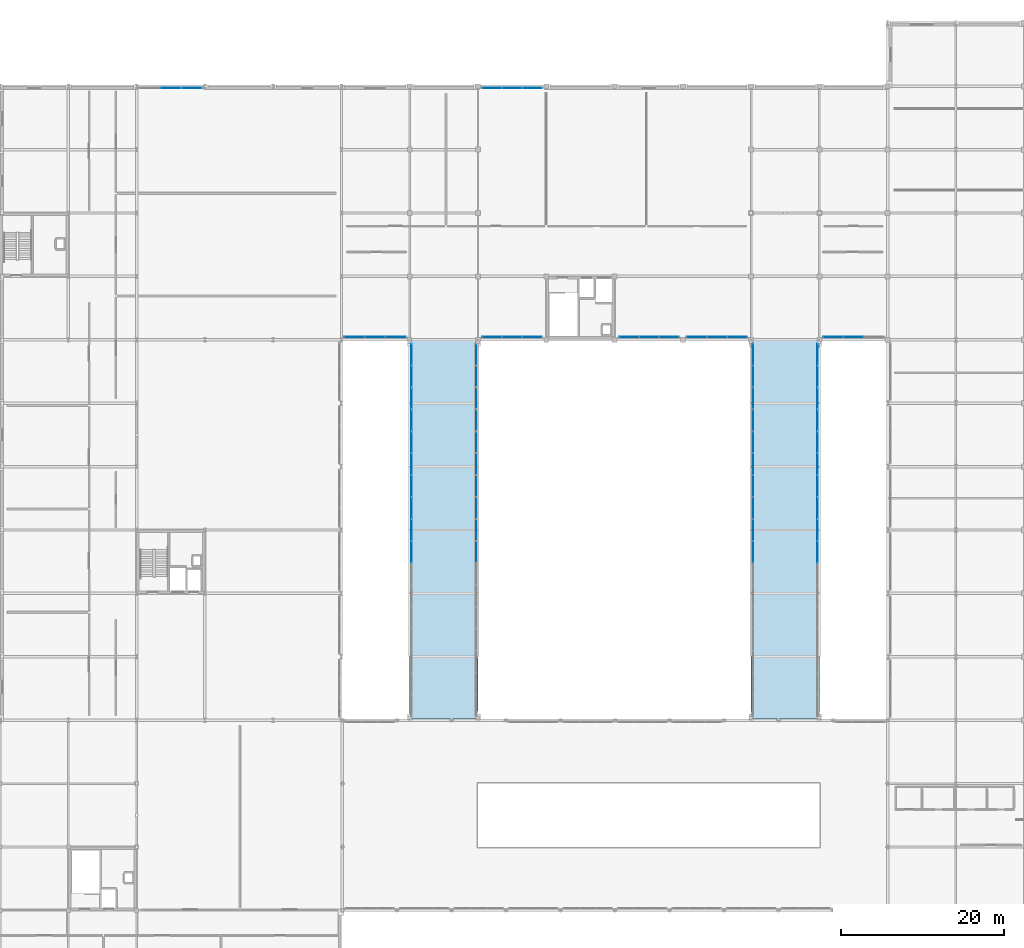
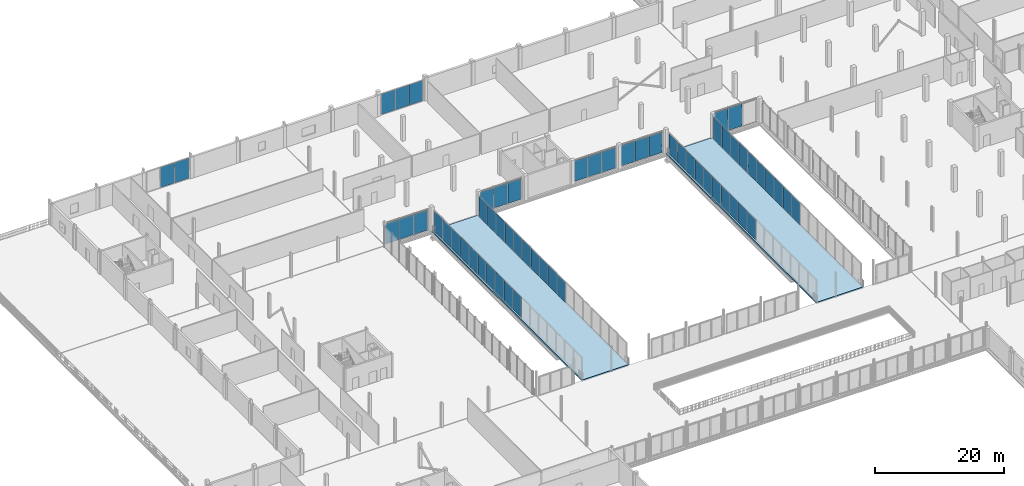
# One storey, part 63 of 98: 59 plates, 2 slabs, 11 elements without a shape of their own.
"""IFC4 building model written with IfcOpenShell, lengths in metres."""

from ifc_helpers import new_model, si_unit, direction, frame, origin, origin_2d, place, context, subcontext, project, spatial, polyline, rectangle, outline, extrude, material, layer, layer_set, type_object, element, aggregate, save


model = new_model("IFC4")

# Units and contexts
model_context = context("Model", 3, precision=1e-05, world=origin(), true_north=direction((0.0, 1.0)))
body_context = subcontext(model_context, "Body", "Model", "MODEL_VIEW")
ifc_project = project(units=[si_unit("LENGTHUNIT", "METRE"), si_unit("AREAUNIT", "SQUARE_METRE"), si_unit("VOLUMEUNIT", "CUBIC_METRE"), si_unit("PLANEANGLEUNIT", "RADIAN"), si_unit("MASSUNIT", "GRAM", prefix="KILO")], contexts=[model_context])

# Site, building, storey
site_placement = place(None, origin())
site = spatial("IfcSite", under=ifc_project, at=site_placement, CompositionType="ELEMENT")
building_placement = place(site_placement, origin())
building = spatial("IfcBuilding", under=site, at=building_placement, Name="Nabrawat Pavilion Hospital", CompositionType="ELEMENT")
storey_placement = place(building_placement, frame((0.0, 0.0, 10.199951171875)))
storey = spatial("IfcBuildingStorey", under=building, at=storey_placement, Name="L02", CompositionType="ELEMENT", Elevation=10.199951171875)

# Slabs
ifc_material_1 = material(Name="Concrete C35/45", Category="concrete")
ifc_layer_1 = layer(ifc_material_1, 0.2900390625, Name="Concrete C35/45")
ifc_layer_set_1 = layer_set([ifc_layer_1], Name="Concrete C35/45")
slab_type = type_object("IfcSlabType", Name="Courtyard Link Bridge Deck Slab 290", PredefinedType="FLOOR", material=ifc_layer_set_1)
slab_1_placement = place(storey_placement, frame((0.0, 0.0, -0.2900390625)))
element("IfcSlab", 1, at=slab_1_placement, inside=storey, type_object=slab_type, Name="L02 Courtyard Link Bridge P_L02_BR_W", PredefinedType="FLOOR", context=body_context, shape_type="SweptSolid", body=[
    extrude(outline(polyline([(75.60009765625, 39.1201171875), (75.60009765625, 85.800048828125), (67.199951171875, 85.800048828125), (67.199951171875, 39.1201171875), (75.60009765625, 39.1201171875)])), origin(), (0.0, 0.0, 1.0), 0.2900390625),
])
slab_2_placement = place(storey_placement, frame((0.0, 0.0, -0.2900390625)))
element("IfcSlab", 2, at=slab_2_placement, inside=storey, type_object=slab_type, Name="L02 Courtyard Link Bridge P_L02_BR_E", PredefinedType="FLOOR", context=body_context, shape_type="SweptSolid", body=[
    extrude(outline(polyline([(117.60009765625, 39.1201171875), (117.60009765625, 85.800048828125), (109.199951171875, 85.800048828125), (109.199951171875, 39.1201171875), (117.60009765625, 39.1201171875)])), origin(), (0.0, 0.0, 1.0), 0.2900390625),
])

# Curtain wall, plates
ifc_material_2 = material(Name="Anodised Aluminium", Category="aluminium")
curtain_wall_type_1 = type_object("IfcCurtainWallType", Name="Courtyard Link Bridge Glazed Curtain Wall", PredefinedType="USERDEFINED", material=ifc_material_2)
curtain_wall_1_placement = place(storey_placement, origin())
curtain_wall_1 = element("IfcCurtainWall", 3, at=curtain_wall_1_placement, inside=storey, type_object=curtain_wall_type_1, Name="L02 Courtyard Link Bridge Glazed Curtain Wall 117", ObjectType="CURTAIN WALL", PredefinedType="USERDEFINED")
ifc_material_3 = material(Name="Double-Glazed Low-E Glass", Category="glass")
ifc_layer_2 = layer(ifc_material_3, 0.031982421875, Name="Double-Glazed Low-E Glass")
ifc_layer_set_2 = layer_set([ifc_layer_2], Name="Double-Glazed Low-E Glass")
plate_type_1 = type_object("IfcPlateType", Name="Courtyard Link Bridge Glazed Curtain Wall Low-E Solar Panel 32", PredefinedType="CURTAIN_PANEL", material=ifc_layer_set_2)
plate_1_placement = place(storey_placement, frame((67.419921875, 59.69873046875, 0.070068359375), z_axis=(0.0, 0.0, 1.0), x_axis=(0.0, 1.0, 0.0)))
plate_1 = element("IfcPlate", 4, at=plate_1_placement, type_object=plate_type_1, Name="CW-BRG-01 panel 8.1", PredefinedType="CURTAIN_PANEL", context=body_context, shape_type="SweptSolid", body=[
    extrude(rectangle(XDim=2.631103515625, YDim=0.031982421875, at=origin_2d()), origin(), (0.0, 0.0, 1.0), 3.89990234375),
])
plate_2_placement = place(storey_placement, frame((67.419921875, 62.39990234375, 0.070068359375), z_axis=(0.0, 0.0, 1.0), x_axis=(0.0, 1.0, 0.0)))
plate_2 = element("IfcPlate", 5, at=plate_2_placement, type_object=plate_type_1, Name="CW-BRG-01 panel 9.1", PredefinedType="CURTAIN_PANEL", context=body_context, shape_type="SweptSolid", body=[
    extrude(rectangle(XDim=2.631103515625, YDim=0.031982421875, at=origin_2d()), origin(), (0.0, 0.0, 1.0), 3.89990234375),
])
plate_3_placement = place(storey_placement, frame((67.419921875, 65.10107421875, 0.070068359375), z_axis=(0.0, 0.0, 1.0), x_axis=(0.0, 1.0, 0.0)))
plate_3 = element("IfcPlate", 6, at=plate_3_placement, type_object=plate_type_1, Name="CW-BRG-01 panel 10.1", PredefinedType="CURTAIN_PANEL", context=body_context, shape_type="SweptSolid", body=[
    extrude(rectangle(XDim=2.631103515625, YDim=0.031982421875, at=origin_2d()), origin(), (0.0, 0.0, 1.0), 3.89990234375),
])
plate_4_placement = place(storey_placement, frame((67.419921875, 67.80224609375, 0.070068359375), z_axis=(0.0, 0.0, 1.0), x_axis=(0.0, 1.0, 0.0)))
plate_4 = element("IfcPlate", 7, at=plate_4_placement, type_object=plate_type_1, Name="CW-BRG-01 panel 11.1", PredefinedType="CURTAIN_PANEL", context=body_context, shape_type="SweptSolid", body=[
    extrude(rectangle(XDim=2.631103515625, YDim=0.031982421875, at=origin_2d()), origin(), (0.0, 0.0, 1.0), 3.89990234375),
])
plate_5_placement = place(storey_placement, frame((67.419921875, 70.50341796875, 0.070068359375), z_axis=(0.0, 0.0, 1.0), x_axis=(0.0, 1.0, 0.0)))
plate_5 = element("IfcPlate", 8, at=plate_5_placement, type_object=plate_type_1, Name="CW-BRG-01 panel 12.1", PredefinedType="CURTAIN_PANEL", context=body_context, shape_type="SweptSolid", body=[
    extrude(rectangle(XDim=2.631103515625, YDim=0.031982421875, at=origin_2d()), origin(), (0.0, 0.0, 1.0), 3.89990234375),
])
plate_6_placement = place(storey_placement, frame((67.419921875, 73.20458984375, 0.070068359375), z_axis=(0.0, 0.0, 1.0), x_axis=(0.0, 1.0, 0.0)))
plate_6 = element("IfcPlate", 9, at=plate_6_placement, type_object=plate_type_1, Name="CW-BRG-01 panel 13.1", PredefinedType="CURTAIN_PANEL", context=body_context, shape_type="SweptSolid", body=[
    extrude(rectangle(XDim=2.631103515625, YDim=0.031982421875, at=origin_2d()), origin(), (0.0, 0.0, 1.0), 3.89990234375),
])
plate_7_placement = place(storey_placement, frame((67.419921875, 75.90576171875, 0.070068359375), z_axis=(0.0, 0.0, 1.0), x_axis=(0.0, 1.0, 0.0)))
plate_7 = element("IfcPlate", 10, at=plate_7_placement, type_object=plate_type_1, Name="CW-BRG-01 panel 14.1", PredefinedType="CURTAIN_PANEL", context=body_context, shape_type="SweptSolid", body=[
    extrude(rectangle(XDim=2.631103515625, YDim=0.031982421875, at=origin_2d()), origin(), (0.0, 0.0, 1.0), 3.89990234375),
])
plate_8_placement = place(storey_placement, frame((67.419921875, 78.607177734375, 0.070068359375), z_axis=(0.0, 0.0, 1.0), x_axis=(0.0, 1.0, 0.0)))
plate_8 = element("IfcPlate", 11, at=plate_8_placement, type_object=plate_type_1, Name="CW-BRG-01 panel 15.1", PredefinedType="CURTAIN_PANEL", context=body_context, shape_type="SweptSolid", body=[
    extrude(rectangle(XDim=2.631103515625, YDim=0.031982421875, at=origin_2d()), origin(), (0.0, 0.0, 1.0), 3.89990234375),
])
plate_9_placement = place(storey_placement, frame((67.419921875, 81.308349609375, 0.070068359375), z_axis=(0.0, 0.0, 1.0), x_axis=(0.0, 1.0, 0.0)))
plate_9 = element("IfcPlate", 12, at=plate_9_placement, type_object=plate_type_1, Name="CW-BRG-01 panel 16.1", PredefinedType="CURTAIN_PANEL", context=body_context, shape_type="SweptSolid", body=[
    extrude(rectangle(XDim=2.631103515625, YDim=0.031982421875, at=origin_2d()), origin(), (0.0, 0.0, 1.0), 3.89990234375),
])
plate_10_placement = place(storey_placement, frame((67.419921875, 83.991943359375, 0.070068359375), z_axis=(0.0, 0.0, 1.0), x_axis=(0.0, 1.0, 0.0)))
plate_10 = element("IfcPlate", 13, at=plate_10_placement, type_object=plate_type_1, Name="CW-BRG-01 panel 17.1", PredefinedType="CURTAIN_PANEL", context=body_context, shape_type="SweptSolid", body=[
    extrude(rectangle(XDim=2.59619140625, YDim=0.031982421875, at=origin_2d()), origin(), (0.0, 0.0, 1.0), 3.89990234375),
])
aggregate(curtain_wall_1, [plate_1, plate_2, plate_3, plate_4, plate_5, plate_6, plate_7, plate_8, plate_9, plate_10])

curtain_wall_2_placement = place(storey_placement, origin())
curtain_wall_2 = element("IfcCurtainWall", 14, at=curtain_wall_2_placement, inside=storey, type_object=curtain_wall_type_1, Name="L02 Courtyard Link Bridge Glazed Curtain Wall 118", ObjectType="CURTAIN WALL", PredefinedType="USERDEFINED")
plate_11_placement = place(storey_placement, frame((75.3798828125, 59.69873046875, 0.070068359375), z_axis=(0.0, 0.0, 1.0), x_axis=(0.0, 1.0, 0.0)))
plate_11 = element("IfcPlate", 15, at=plate_11_placement, type_object=plate_type_1, Name="CW-BRG-01 panel 8.1", PredefinedType="CURTAIN_PANEL", context=body_context, shape_type="SweptSolid", body=[
    extrude(rectangle(XDim=2.631103515625, YDim=0.031982421875, at=origin_2d()), origin(), (0.0, 0.0, 1.0), 3.89990234375),
])
plate_12_placement = place(storey_placement, frame((75.3798828125, 62.39990234375, 0.070068359375), z_axis=(0.0, 0.0, 1.0), x_axis=(0.0, 1.0, 0.0)))
plate_12 = element("IfcPlate", 16, at=plate_12_placement, type_object=plate_type_1, Name="CW-BRG-01 panel 9.1", PredefinedType="CURTAIN_PANEL", context=body_context, shape_type="SweptSolid", body=[
    extrude(rectangle(XDim=2.631103515625, YDim=0.031982421875, at=origin_2d()), origin(), (0.0, 0.0, 1.0), 3.89990234375),
])
plate_13_placement = place(storey_placement, frame((75.3798828125, 65.10107421875, 0.070068359375), z_axis=(0.0, 0.0, 1.0), x_axis=(0.0, 1.0, 0.0)))
plate_13 = element("IfcPlate", 17, at=plate_13_placement, type_object=plate_type_1, Name="CW-BRG-01 panel 10.1", PredefinedType="CURTAIN_PANEL", context=body_context, shape_type="SweptSolid", body=[
    extrude(rectangle(XDim=2.631103515625, YDim=0.031982421875, at=origin_2d()), origin(), (0.0, 0.0, 1.0), 3.89990234375),
])
plate_14_placement = place(storey_placement, frame((75.3798828125, 67.80224609375, 0.070068359375), z_axis=(0.0, 0.0, 1.0), x_axis=(0.0, 1.0, 0.0)))
plate_14 = element("IfcPlate", 18, at=plate_14_placement, type_object=plate_type_1, Name="CW-BRG-01 panel 11.1", PredefinedType="CURTAIN_PANEL", context=body_context, shape_type="SweptSolid", body=[
    extrude(rectangle(XDim=2.631103515625, YDim=0.031982421875, at=origin_2d()), origin(), (0.0, 0.0, 1.0), 3.89990234375),
])
plate_15_placement = place(storey_placement, frame((75.3798828125, 70.50341796875, 0.070068359375), z_axis=(0.0, 0.0, 1.0), x_axis=(0.0, 1.0, 0.0)))
plate_15 = element("IfcPlate", 19, at=plate_15_placement, type_object=plate_type_1, Name="CW-BRG-01 panel 12.1", PredefinedType="CURTAIN_PANEL", context=body_context, shape_type="SweptSolid", body=[
    extrude(rectangle(XDim=2.631103515625, YDim=0.031982421875, at=origin_2d()), origin(), (0.0, 0.0, 1.0), 3.89990234375),
])
plate_16_placement = place(storey_placement, frame((75.3798828125, 73.20458984375, 0.070068359375), z_axis=(0.0, 0.0, 1.0), x_axis=(0.0, 1.0, 0.0)))
plate_16 = element("IfcPlate", 20, at=plate_16_placement, type_object=plate_type_1, Name="CW-BRG-01 panel 13.1", PredefinedType="CURTAIN_PANEL", context=body_context, shape_type="SweptSolid", body=[
    extrude(rectangle(XDim=2.631103515625, YDim=0.031982421875, at=origin_2d()), origin(), (0.0, 0.0, 1.0), 3.89990234375),
])
plate_17_placement = place(storey_placement, frame((75.3798828125, 75.90576171875, 0.070068359375), z_axis=(0.0, 0.0, 1.0), x_axis=(0.0, 1.0, 0.0)))
plate_17 = element("IfcPlate", 21, at=plate_17_placement, type_object=plate_type_1, Name="CW-BRG-01 panel 14.1", PredefinedType="CURTAIN_PANEL", context=body_context, shape_type="SweptSolid", body=[
    extrude(rectangle(XDim=2.631103515625, YDim=0.031982421875, at=origin_2d()), origin(), (0.0, 0.0, 1.0), 3.89990234375),
])
plate_18_placement = place(storey_placement, frame((75.3798828125, 78.607177734375, 0.070068359375), z_axis=(0.0, 0.0, 1.0), x_axis=(0.0, 1.0, 0.0)))
plate_18 = element("IfcPlate", 22, at=plate_18_placement, type_object=plate_type_1, Name="CW-BRG-01 panel 15.1", PredefinedType="CURTAIN_PANEL", context=body_context, shape_type="SweptSolid", body=[
    extrude(rectangle(XDim=2.631103515625, YDim=0.031982421875, at=origin_2d()), origin(), (0.0, 0.0, 1.0), 3.89990234375),
])
plate_19_placement = place(storey_placement, frame((75.3798828125, 81.308349609375, 0.070068359375), z_axis=(0.0, 0.0, 1.0), x_axis=(0.0, 1.0, 0.0)))
plate_19 = element("IfcPlate", 23, at=plate_19_placement, type_object=plate_type_1, Name="CW-BRG-01 panel 16.1", PredefinedType="CURTAIN_PANEL", context=body_context, shape_type="SweptSolid", body=[
    extrude(rectangle(XDim=2.631103515625, YDim=0.031982421875, at=origin_2d()), origin(), (0.0, 0.0, 1.0), 3.89990234375),
])
plate_20_placement = place(storey_placement, frame((75.3798828125, 83.991943359375, 0.070068359375), z_axis=(0.0, 0.0, 1.0), x_axis=(0.0, 1.0, 0.0)))
plate_20 = element("IfcPlate", 24, at=plate_20_placement, type_object=plate_type_1, Name="CW-BRG-01 panel 17.1", PredefinedType="CURTAIN_PANEL", context=body_context, shape_type="SweptSolid", body=[
    extrude(rectangle(XDim=2.59619140625, YDim=0.031982421875, at=origin_2d()), origin(), (0.0, 0.0, 1.0), 3.89990234375),
])
aggregate(curtain_wall_2, [plate_11, plate_12, plate_13, plate_14, plate_15, plate_16, plate_17, plate_18, plate_19, plate_20])

curtain_wall_3_placement = place(storey_placement, origin())
curtain_wall_3 = element("IfcCurtainWall", 25, at=curtain_wall_3_placement, inside=storey, type_object=curtain_wall_type_1, Name="L02 Courtyard Link Bridge Glazed Curtain Wall 126", ObjectType="CURTAIN WALL", PredefinedType="USERDEFINED")
plate_21_placement = place(storey_placement, frame((109.419921875, 59.69873046875, 0.070068359375), z_axis=(0.0, 0.0, 1.0), x_axis=(0.0, 1.0, 0.0)))
plate_21 = element("IfcPlate", 26, at=plate_21_placement, type_object=plate_type_1, Name="CW-BRG-01 panel 8.1", PredefinedType="CURTAIN_PANEL", context=body_context, shape_type="SweptSolid", body=[
    extrude(rectangle(XDim=2.631103515625, YDim=0.031982421875, at=origin_2d()), origin(), (0.0, 0.0, 1.0), 3.89990234375),
])
plate_22_placement = place(storey_placement, frame((109.419921875, 62.39990234375, 0.070068359375), z_axis=(0.0, 0.0, 1.0), x_axis=(0.0, 1.0, 0.0)))
plate_22 = element("IfcPlate", 27, at=plate_22_placement, type_object=plate_type_1, Name="CW-BRG-01 panel 9.1", PredefinedType="CURTAIN_PANEL", context=body_context, shape_type="SweptSolid", body=[
    extrude(rectangle(XDim=2.631103515625, YDim=0.031982421875, at=origin_2d()), origin(), (0.0, 0.0, 1.0), 3.89990234375),
])
plate_23_placement = place(storey_placement, frame((109.419921875, 65.10107421875, 0.070068359375), z_axis=(0.0, 0.0, 1.0), x_axis=(0.0, 1.0, 0.0)))
plate_23 = element("IfcPlate", 28, at=plate_23_placement, type_object=plate_type_1, Name="CW-BRG-01 panel 10.1", PredefinedType="CURTAIN_PANEL", context=body_context, shape_type="SweptSolid", body=[
    extrude(rectangle(XDim=2.631103515625, YDim=0.031982421875, at=origin_2d()), origin(), (0.0, 0.0, 1.0), 3.89990234375),
])
plate_24_placement = place(storey_placement, frame((109.419921875, 67.80224609375, 0.070068359375), z_axis=(0.0, 0.0, 1.0), x_axis=(0.0, 1.0, 0.0)))
plate_24 = element("IfcPlate", 29, at=plate_24_placement, type_object=plate_type_1, Name="CW-BRG-01 panel 11.1", PredefinedType="CURTAIN_PANEL", context=body_context, shape_type="SweptSolid", body=[
    extrude(rectangle(XDim=2.631103515625, YDim=0.031982421875, at=origin_2d()), origin(), (0.0, 0.0, 1.0), 3.89990234375),
])
plate_25_placement = place(storey_placement, frame((109.419921875, 70.50341796875, 0.070068359375), z_axis=(0.0, 0.0, 1.0), x_axis=(0.0, 1.0, 0.0)))
plate_25 = element("IfcPlate", 30, at=plate_25_placement, type_object=plate_type_1, Name="CW-BRG-01 panel 12.1", PredefinedType="CURTAIN_PANEL", context=body_context, shape_type="SweptSolid", body=[
    extrude(rectangle(XDim=2.631103515625, YDim=0.031982421875, at=origin_2d()), origin(), (0.0, 0.0, 1.0), 3.89990234375),
])
plate_26_placement = place(storey_placement, frame((109.419921875, 73.20458984375, 0.070068359375), z_axis=(0.0, 0.0, 1.0), x_axis=(0.0, 1.0, 0.0)))
plate_26 = element("IfcPlate", 31, at=plate_26_placement, type_object=plate_type_1, Name="CW-BRG-01 panel 13.1", PredefinedType="CURTAIN_PANEL", context=body_context, shape_type="SweptSolid", body=[
    extrude(rectangle(XDim=2.631103515625, YDim=0.031982421875, at=origin_2d()), origin(), (0.0, 0.0, 1.0), 3.89990234375),
])
plate_27_placement = place(storey_placement, frame((109.419921875, 75.90576171875, 0.070068359375), z_axis=(0.0, 0.0, 1.0), x_axis=(0.0, 1.0, 0.0)))
plate_27 = element("IfcPlate", 32, at=plate_27_placement, type_object=plate_type_1, Name="CW-BRG-01 panel 14.1", PredefinedType="CURTAIN_PANEL", context=body_context, shape_type="SweptSolid", body=[
    extrude(rectangle(XDim=2.631103515625, YDim=0.031982421875, at=origin_2d()), origin(), (0.0, 0.0, 1.0), 3.89990234375),
])
plate_28_placement = place(storey_placement, frame((109.419921875, 78.607177734375, 0.070068359375), z_axis=(0.0, 0.0, 1.0), x_axis=(0.0, 1.0, 0.0)))
plate_28 = element("IfcPlate", 33, at=plate_28_placement, type_object=plate_type_1, Name="CW-BRG-01 panel 15.1", PredefinedType="CURTAIN_PANEL", context=body_context, shape_type="SweptSolid", body=[
    extrude(rectangle(XDim=2.631103515625, YDim=0.031982421875, at=origin_2d()), origin(), (0.0, 0.0, 1.0), 3.89990234375),
])
plate_29_placement = place(storey_placement, frame((109.419921875, 81.308349609375, 0.070068359375), z_axis=(0.0, 0.0, 1.0), x_axis=(0.0, 1.0, 0.0)))
plate_29 = element("IfcPlate", 34, at=plate_29_placement, type_object=plate_type_1, Name="CW-BRG-01 panel 16.1", PredefinedType="CURTAIN_PANEL", context=body_context, shape_type="SweptSolid", body=[
    extrude(rectangle(XDim=2.631103515625, YDim=0.031982421875, at=origin_2d()), origin(), (0.0, 0.0, 1.0), 3.89990234375),
])
plate_30_placement = place(storey_placement, frame((109.419921875, 83.991943359375, 0.070068359375), z_axis=(0.0, 0.0, 1.0), x_axis=(0.0, 1.0, 0.0)))
plate_30 = element("IfcPlate", 35, at=plate_30_placement, type_object=plate_type_1, Name="CW-BRG-01 panel 17.1", PredefinedType="CURTAIN_PANEL", context=body_context, shape_type="SweptSolid", body=[
    extrude(rectangle(XDim=2.59619140625, YDim=0.031982421875, at=origin_2d()), origin(), (0.0, 0.0, 1.0), 3.89990234375),
])
aggregate(curtain_wall_3, [plate_21, plate_22, plate_23, plate_24, plate_25, plate_26, plate_27, plate_28, plate_29, plate_30])

curtain_wall_4_placement = place(storey_placement, origin())
curtain_wall_4 = element("IfcCurtainWall", 36, at=curtain_wall_4_placement, inside=storey, type_object=curtain_wall_type_1, Name="L02 Courtyard Link Bridge Glazed Curtain Wall 127", ObjectType="CURTAIN WALL", PredefinedType="USERDEFINED")
plate_31_placement = place(storey_placement, frame((117.3798828125, 59.69873046875, 0.070068359375), z_axis=(0.0, 0.0, 1.0), x_axis=(0.0, 1.0, 0.0)))
plate_31 = element("IfcPlate", 37, at=plate_31_placement, type_object=plate_type_1, Name="CW-BRG-01 panel 8.1", PredefinedType="CURTAIN_PANEL", context=body_context, shape_type="SweptSolid", body=[
    extrude(rectangle(XDim=2.631103515625, YDim=0.031982421875, at=origin_2d()), origin(), (0.0, 0.0, 1.0), 4.22998046875),
])
plate_32_placement = place(storey_placement, frame((117.3798828125, 62.39990234375, 0.070068359375), z_axis=(0.0, 0.0, 1.0), x_axis=(0.0, 1.0, 0.0)))
plate_32 = element("IfcPlate", 38, at=plate_32_placement, type_object=plate_type_1, Name="CW-BRG-01 panel 9.1", PredefinedType="CURTAIN_PANEL", context=body_context, shape_type="SweptSolid", body=[
    extrude(rectangle(XDim=2.631103515625, YDim=0.031982421875, at=origin_2d()), origin(), (0.0, 0.0, 1.0), 4.22998046875),
])
plate_33_placement = place(storey_placement, frame((117.3798828125, 65.10107421875, 0.070068359375), z_axis=(0.0, 0.0, 1.0), x_axis=(0.0, 1.0, 0.0)))
plate_33 = element("IfcPlate", 39, at=plate_33_placement, type_object=plate_type_1, Name="CW-BRG-01 panel 10.1", PredefinedType="CURTAIN_PANEL", context=body_context, shape_type="SweptSolid", body=[
    extrude(rectangle(XDim=2.631103515625, YDim=0.031982421875, at=origin_2d()), origin(), (0.0, 0.0, 1.0), 4.22998046875),
])
plate_34_placement = place(storey_placement, frame((117.3798828125, 67.80224609375, 0.070068359375), z_axis=(0.0, 0.0, 1.0), x_axis=(0.0, 1.0, 0.0)))
plate_34 = element("IfcPlate", 40, at=plate_34_placement, type_object=plate_type_1, Name="CW-BRG-01 panel 11.1", PredefinedType="CURTAIN_PANEL", context=body_context, shape_type="SweptSolid", body=[
    extrude(rectangle(XDim=2.631103515625, YDim=0.031982421875, at=origin_2d()), origin(), (0.0, 0.0, 1.0), 4.22998046875),
])
plate_35_placement = place(storey_placement, frame((117.3798828125, 70.50341796875, 0.070068359375), z_axis=(0.0, 0.0, 1.0), x_axis=(0.0, 1.0, 0.0)))
plate_35 = element("IfcPlate", 41, at=plate_35_placement, type_object=plate_type_1, Name="CW-BRG-01 panel 12.1", PredefinedType="CURTAIN_PANEL", context=body_context, shape_type="SweptSolid", body=[
    extrude(rectangle(XDim=2.631103515625, YDim=0.031982421875, at=origin_2d()), origin(), (0.0, 0.0, 1.0), 4.22998046875),
])
plate_36_placement = place(storey_placement, frame((117.3798828125, 73.20458984375, 0.070068359375), z_axis=(0.0, 0.0, 1.0), x_axis=(0.0, 1.0, 0.0)))
plate_36 = element("IfcPlate", 42, at=plate_36_placement, type_object=plate_type_1, Name="CW-BRG-01 panel 13.1", PredefinedType="CURTAIN_PANEL", context=body_context, shape_type="SweptSolid", body=[
    extrude(rectangle(XDim=2.631103515625, YDim=0.031982421875, at=origin_2d()), origin(), (0.0, 0.0, 1.0), 4.22998046875),
])
plate_37_placement = place(storey_placement, frame((117.3798828125, 75.90576171875, 0.070068359375), z_axis=(0.0, 0.0, 1.0), x_axis=(0.0, 1.0, 0.0)))
plate_37 = element("IfcPlate", 43, at=plate_37_placement, type_object=plate_type_1, Name="CW-BRG-01 panel 14.1", PredefinedType="CURTAIN_PANEL", context=body_context, shape_type="SweptSolid", body=[
    extrude(rectangle(XDim=2.631103515625, YDim=0.031982421875, at=origin_2d()), origin(), (0.0, 0.0, 1.0), 4.22998046875),
])
plate_38_placement = place(storey_placement, frame((117.3798828125, 78.607177734375, 0.070068359375), z_axis=(0.0, 0.0, 1.0), x_axis=(0.0, 1.0, 0.0)))
plate_38 = element("IfcPlate", 44, at=plate_38_placement, type_object=plate_type_1, Name="CW-BRG-01 panel 15.1", PredefinedType="CURTAIN_PANEL", context=body_context, shape_type="SweptSolid", body=[
    extrude(rectangle(XDim=2.631103515625, YDim=0.031982421875, at=origin_2d()), origin(), (0.0, 0.0, 1.0), 4.22998046875),
])
plate_39_placement = place(storey_placement, frame((117.3798828125, 81.308349609375, 0.070068359375), z_axis=(0.0, 0.0, 1.0), x_axis=(0.0, 1.0, 0.0)))
plate_39 = element("IfcPlate", 45, at=plate_39_placement, type_object=plate_type_1, Name="CW-BRG-01 panel 16.1", PredefinedType="CURTAIN_PANEL", context=body_context, shape_type="SweptSolid", body=[
    extrude(rectangle(XDim=2.631103515625, YDim=0.031982421875, at=origin_2d()), origin(), (0.0, 0.0, 1.0), 4.22998046875),
])
plate_40_placement = place(storey_placement, frame((117.3798828125, 83.991943359375, 0.070068359375), z_axis=(0.0, 0.0, 1.0), x_axis=(0.0, 1.0, 0.0)))
plate_40 = element("IfcPlate", 46, at=plate_40_placement, type_object=plate_type_1, Name="CW-BRG-01 panel 17.1", PredefinedType="CURTAIN_PANEL", context=body_context, shape_type="SweptSolid", body=[
    extrude(rectangle(XDim=2.59619140625, YDim=0.031982421875, at=origin_2d()), origin(), (0.0, 0.0, 1.0), 4.22998046875),
])
aggregate(curtain_wall_4, [plate_31, plate_32, plate_33, plate_34, plate_35, plate_36, plate_37, plate_38, plate_39, plate_40])

curtain_wall_type_2 = type_object("IfcCurtainWallType", Name="Emergency Concourse Glazed Screen", PredefinedType="USERDEFINED", material=ifc_material_2)
curtain_wall_5_placement = place(storey_placement, origin())
curtain_wall_5 = element("IfcCurtainWall", 47, at=curtain_wall_5_placement, inside=storey, type_object=curtain_wall_type_2, Name="L02 Emergency Concourse Glazed Screen 097", ObjectType="CURTAIN WALL", PredefinedType="USERDEFINED")
ifc_layer_3 = layer(ifc_material_3, 0.030029296875, Name="Double-Glazed Low-E Glass")
ifc_layer_set_3 = layer_set([ifc_layer_3], Name="Double-Glazed Low-E Glass")
plate_type_2 = type_object("IfcPlateType", Name="Emergency Concourse Glazed Screen Low-E Solar Panel 30", PredefinedType="CURTAIN_PANEL", material=ifc_layer_set_3)
plate_41_placement = place(storey_placement, frame((37.800048828125, 116.780029296875, 0.070068359375), z_axis=(0.0, 0.0, 1.0), x_axis=(1.0, 0.0, 0.0)))
plate_41 = element("IfcPlate", 48, at=plate_41_placement, type_object=plate_type_2, Name="CW-ED-01 panel 2.1", PredefinedType="CURTAIN_PANEL", context=body_context, shape_type="SweptSolid", body=[
    extrude(rectangle(XDim=2.5166015625, YDim=0.030029296875, at=origin_2d()), origin(), (0.0, 0.0, 1.0), 3.8701171875),
])
plate_42_placement = place(storey_placement, frame((40.369140625, 116.780029296875, 0.070068359375), z_axis=(0.0, 0.0, 1.0), x_axis=(1.0, 0.0, 0.0)))
plate_42 = element("IfcPlate", 49, at=plate_42_placement, type_object=plate_type_2, Name="CW-ED-01 panel 3.1", PredefinedType="CURTAIN_PANEL", context=body_context, shape_type="SweptSolid", body=[
    extrude(rectangle(XDim=2.481689453125, YDim=0.030029296875, at=origin_2d()), origin(), (0.0, 0.0, 1.0), 3.8701171875),
])
aggregate(curtain_wall_5, [plate_41, plate_42])

curtain_wall_6_placement = place(storey_placement, origin())
curtain_wall_6 = element("IfcCurtainWall", 50, at=curtain_wall_6_placement, inside=storey, type_object=curtain_wall_type_2, Name="L02 Emergency Concourse Glazed Screen 116", ObjectType="CURTAIN WALL", PredefinedType="USERDEFINED")
plate_43_placement = place(storey_placement, frame((77.330810546875, 116.780029296875, 0.070068359375), z_axis=(0.0, 0.0, 1.0), x_axis=(1.0, 0.0, 0.0)))
plate_43 = element("IfcPlate", 51, at=plate_43_placement, type_object=plate_type_2, Name="CW-ED-01 panel 1.1", PredefinedType="CURTAIN_PANEL", context=body_context, shape_type="SweptSolid", body=[
    extrude(rectangle(XDim=2.381591796875, YDim=0.030029296875, at=origin_2d()), origin(), (0.0, 0.0, 1.0), 3.89990234375),
])
plate_44_placement = place(storey_placement, frame((79.800048828125, 116.780029296875, 0.070068359375), z_axis=(0.0, 0.0, 1.0), x_axis=(1.0, 0.0, 0.0)))
plate_44 = element("IfcPlate", 52, at=plate_44_placement, type_object=plate_type_2, Name="CW-ED-01 panel 2.1", PredefinedType="CURTAIN_PANEL", context=body_context, shape_type="SweptSolid", body=[
    extrude(rectangle(XDim=2.416748046875, YDim=0.030029296875, at=origin_2d()), origin(), (0.0, 0.0, 1.0), 3.89990234375),
])
plate_45_placement = place(storey_placement, frame((82.269287109375, 116.780029296875, 0.070068359375), z_axis=(0.0, 0.0, 1.0), x_axis=(1.0, 0.0, 0.0)))
plate_45 = element("IfcPlate", 53, at=plate_45_placement, type_object=plate_type_2, Name="CW-ED-01 panel 3.1", PredefinedType="CURTAIN_PANEL", context=body_context, shape_type="SweptSolid", body=[
    extrude(rectangle(XDim=2.381591796875, YDim=0.030029296875, at=origin_2d()), origin(), (0.0, 0.0, 1.0), 3.89990234375),
])
aggregate(curtain_wall_6, [plate_43, plate_44, plate_45])

curtain_wall_type_3 = type_object("IfcCurtainWallType", Name="Healing Garden Cloister Curtain Wall", PredefinedType="USERDEFINED", material=ifc_material_2)
curtain_wall_7_placement = place(storey_placement, origin())
curtain_wall_7 = element("IfcCurtainWall", 54, at=curtain_wall_7_placement, inside=storey, type_object=curtain_wall_type_3, Name="L02 Healing Garden Cloister Curtain Wall 115", ObjectType="CURTAIN WALL", PredefinedType="USERDEFINED")
ifc_layer_4 = layer(ifc_material_3, 0.028076171875, Name="Double-Glazed Low-E Glass")
ifc_layer_set_4 = layer_set([ifc_layer_4], Name="Double-Glazed Low-E Glass")
plate_type_3 = type_object("IfcPlateType", Name="Healing Garden Cloister Curtain Wall Low-E Solar Panel 28", PredefinedType="CURTAIN_PANEL", material=ifc_layer_set_4)
plate_46_placement = place(storey_placement, frame((60.384521484375, 86.139892578125, 0.06494140625), z_axis=(0.0, 0.0, 1.0), x_axis=(1.0, 0.0, 0.0)))
plate_46 = element("IfcPlate", 55, at=plate_46_placement, type_object=plate_type_3, Name="CW-CLN-01 panel 1.1", PredefinedType="CURTAIN_PANEL", context=body_context, shape_type="SweptSolid", body=[
    extrude(rectangle(XDim=2.459228515625, YDim=0.028076171875, at=origin_2d()), origin(), (0.0, 0.0, 1.0), 3.840087890625),
])
plate_47_placement = place(storey_placement, frame((62.925048828125, 86.139892578125, 0.06494140625), z_axis=(0.0, 0.0, 1.0), x_axis=(1.0, 0.0, 0.0)))
plate_47 = element("IfcPlate", 56, at=plate_47_placement, type_object=plate_type_3, Name="CW-CLN-01 panel 2.1", PredefinedType="CURTAIN_PANEL", context=body_context, shape_type="SweptSolid", body=[
    extrude(rectangle(XDim=2.49169921875, YDim=0.028076171875, at=origin_2d()), origin(), (0.0, 0.0, 1.0), 3.840087890625),
])
plate_48_placement = place(storey_placement, frame((65.46533203125, 86.139892578125, 0.06494140625), z_axis=(0.0, 0.0, 1.0), x_axis=(1.0, 0.0, 0.0)))
plate_48 = element("IfcPlate", 57, at=plate_48_placement, type_object=plate_type_3, Name="CW-CLN-01 panel 3.1", PredefinedType="CURTAIN_PANEL", context=body_context, shape_type="SweptSolid", body=[
    extrude(rectangle(XDim=2.459228515625, YDim=0.028076171875, at=origin_2d()), origin(), (0.0, 0.0, 1.0), 3.840087890625),
])
aggregate(curtain_wall_7, [plate_46, plate_47, plate_48])

curtain_wall_8_placement = place(storey_placement, origin())
curtain_wall_8 = element("IfcCurtainWall", 58, at=curtain_wall_8_placement, inside=storey, type_object=curtain_wall_type_3, Name="L02 Healing Garden Cloister Curtain Wall 123", ObjectType="CURTAIN WALL", PredefinedType="USERDEFINED")
plate_49_placement = place(storey_placement, frame((77.299560546875, 86.139892578125, 0.06494140625), z_axis=(0.0, 0.0, 1.0), x_axis=(1.0, 0.0, 0.0)))
plate_49 = element("IfcPlate", 59, at=plate_49_placement, type_object=plate_type_3, Name="CW-CLN-01 panel 1.1", PredefinedType="CURTAIN_PANEL", context=body_context, shape_type="SweptSolid", body=[
    extrude(rectangle(XDim=2.38916015625, YDim=0.028076171875, at=origin_2d()), origin(), (0.0, 0.0, 1.0), 3.909912109375),
])
plate_50_placement = place(storey_placement, frame((79.77001953125, 86.139892578125, 0.06494140625), z_axis=(0.0, 0.0, 1.0), x_axis=(1.0, 0.0, 0.0)))
plate_50 = element("IfcPlate", 60, at=plate_50_placement, type_object=plate_type_3, Name="CW-CLN-01 panel 2.1", PredefinedType="CURTAIN_PANEL", context=body_context, shape_type="SweptSolid", body=[
    extrude(rectangle(XDim=2.421630859375, YDim=0.028076171875, at=origin_2d()), origin(), (0.0, 0.0, 1.0), 3.909912109375),
])
plate_51_placement = place(storey_placement, frame((82.240478515625, 86.139892578125, 0.06494140625), z_axis=(0.0, 0.0, 1.0), x_axis=(1.0, 0.0, 0.0)))
plate_51 = element("IfcPlate", 61, at=plate_51_placement, type_object=plate_type_3, Name="CW-CLN-01 panel 3.1", PredefinedType="CURTAIN_PANEL", context=body_context, shape_type="SweptSolid", body=[
    extrude(rectangle(XDim=2.38916015625, YDim=0.028076171875, at=origin_2d()), origin(), (0.0, 0.0, 1.0), 3.909912109375),
])
aggregate(curtain_wall_8, [plate_49, plate_50, plate_51])

curtain_wall_9_placement = place(storey_placement, origin())
curtain_wall_9 = element("IfcCurtainWall", 62, at=curtain_wall_9_placement, inside=storey, type_object=curtain_wall_type_3, Name="L02 Healing Garden Cloister Curtain Wall 124", ObjectType="CURTAIN WALL", PredefinedType="USERDEFINED")
plate_52_placement = place(storey_placement, frame((94.15966796875, 86.139892578125, 0.06494140625), z_axis=(0.0, 0.0, 1.0), x_axis=(1.0, 0.0, 0.0)))
plate_52 = element("IfcPlate", 63, at=plate_52_placement, type_object=plate_type_3, Name="CW-CLN-01 panel 1.1", PredefinedType="CURTAIN_PANEL", context=body_context, shape_type="SweptSolid", body=[
    extrude(rectangle(XDim=2.38916015625, YDim=0.028076171875, at=origin_2d()), origin(), (0.0, 0.0, 1.0), 3.909912109375),
])
plate_53_placement = place(storey_placement, frame((96.6298828125, 86.139892578125, 0.06494140625), z_axis=(0.0, 0.0, 1.0), x_axis=(1.0, 0.0, 0.0)))
plate_53 = element("IfcPlate", 64, at=plate_53_placement, type_object=plate_type_3, Name="CW-CLN-01 panel 2.1", PredefinedType="CURTAIN_PANEL", context=body_context, shape_type="SweptSolid", body=[
    extrude(rectangle(XDim=2.421630859375, YDim=0.028076171875, at=origin_2d()), origin(), (0.0, 0.0, 1.0), 3.909912109375),
])
plate_54_placement = place(storey_placement, frame((99.100341796875, 86.139892578125, 0.06494140625), z_axis=(0.0, 0.0, 1.0), x_axis=(1.0, 0.0, 0.0)))
plate_54 = element("IfcPlate", 65, at=plate_54_placement, type_object=plate_type_3, Name="CW-CLN-01 panel 3.1", PredefinedType="CURTAIN_PANEL", context=body_context, shape_type="SweptSolid", body=[
    extrude(rectangle(XDim=2.38916015625, YDim=0.028076171875, at=origin_2d()), origin(), (0.0, 0.0, 1.0), 3.909912109375),
])
aggregate(curtain_wall_9, [plate_52, plate_53, plate_54])

curtain_wall_10_placement = place(storey_placement, origin())
curtain_wall_10 = element("IfcCurtainWall", 66, at=curtain_wall_10_placement, inside=storey, type_object=curtain_wall_type_3, Name="L02 Healing Garden Cloister Curtain Wall 125", ObjectType="CURTAIN WALL", PredefinedType="USERDEFINED")
plate_55_placement = place(storey_placement, frame((102.509521484375, 86.139892578125, 0.06494140625), z_axis=(0.0, 0.0, 1.0), x_axis=(1.0, 0.0, 0.0)))
plate_55 = element("IfcPlate", 67, at=plate_55_placement, type_object=plate_type_3, Name="CW-CLN-01 panel 1.1", PredefinedType="CURTAIN_PANEL", context=body_context, shape_type="SweptSolid", body=[
    extrude(rectangle(XDim=2.4091796875, YDim=0.028076171875, at=origin_2d()), origin(), (0.0, 0.0, 1.0), 3.909912109375),
])
plate_56_placement = place(storey_placement, frame((105.0, 86.139892578125, 0.06494140625), z_axis=(0.0, 0.0, 1.0), x_axis=(1.0, 0.0, 0.0)))
plate_56 = element("IfcPlate", 68, at=plate_56_placement, type_object=plate_type_3, Name="CW-CLN-01 panel 2.1", PredefinedType="CURTAIN_PANEL", context=body_context, shape_type="SweptSolid", body=[
    extrude(rectangle(XDim=2.441650390625, YDim=0.028076171875, at=origin_2d()), origin(), (0.0, 0.0, 1.0), 3.909912109375),
])
plate_57_placement = place(storey_placement, frame((107.490478515625, 86.139892578125, 0.06494140625), z_axis=(0.0, 0.0, 1.0), x_axis=(1.0, 0.0, 0.0)))
plate_57 = element("IfcPlate", 69, at=plate_57_placement, type_object=plate_type_3, Name="CW-CLN-01 panel 3.1", PredefinedType="CURTAIN_PANEL", context=body_context, shape_type="SweptSolid", body=[
    extrude(rectangle(XDim=2.4091796875, YDim=0.028076171875, at=origin_2d()), origin(), (0.0, 0.0, 1.0), 3.909912109375),
])
aggregate(curtain_wall_10, [plate_55, plate_56, plate_57])

curtain_wall_11_placement = place(storey_placement, origin())
curtain_wall_11 = element("IfcCurtainWall", 70, at=curtain_wall_11_placement, inside=storey, type_object=curtain_wall_type_3, Name="L02 Healing Garden Cloister Curtain Wall 129", ObjectType="CURTAIN WALL", PredefinedType="USERDEFINED")
plate_58_placement = place(storey_placement, frame((119.3095703125, 86.139892578125, 0.06494140625), z_axis=(0.0, 0.0, 1.0), x_axis=(1.0, 0.0, 0.0)))
plate_58 = element("IfcPlate", 71, at=plate_58_placement, type_object=plate_type_3, Name="CW-CLN-01 panel 1.1", PredefinedType="CURTAIN_PANEL", context=body_context, shape_type="SweptSolid", body=[
    extrude(rectangle(XDim=2.4091796875, YDim=0.028076171875, at=origin_2d()), origin(), (0.0, 0.0, 1.0), 4.239990234375),
])
plate_59_placement = place(storey_placement, frame((121.800048828125, 86.139892578125, 0.06494140625), z_axis=(0.0, 0.0, 1.0), x_axis=(1.0, 0.0, 0.0)))
plate_59 = element("IfcPlate", 72, at=plate_59_placement, type_object=plate_type_3, Name="CW-CLN-01 panel 2.1", PredefinedType="CURTAIN_PANEL", context=body_context, shape_type="SweptSolid", body=[
    extrude(rectangle(XDim=2.441650390625, YDim=0.028076171875, at=origin_2d()), origin(), (0.0, 0.0, 1.0), 4.239990234375),
])
aggregate(curtain_wall_11, [plate_58, plate_59])

save(model, "model.ifc")
